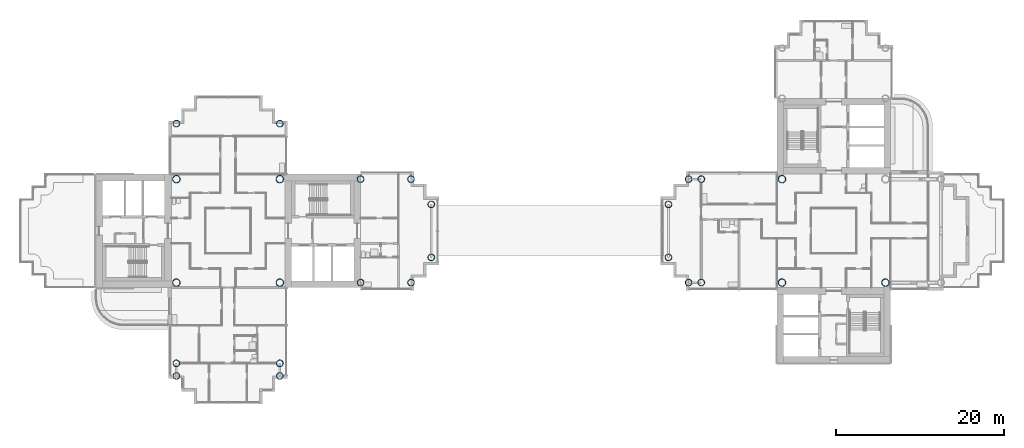
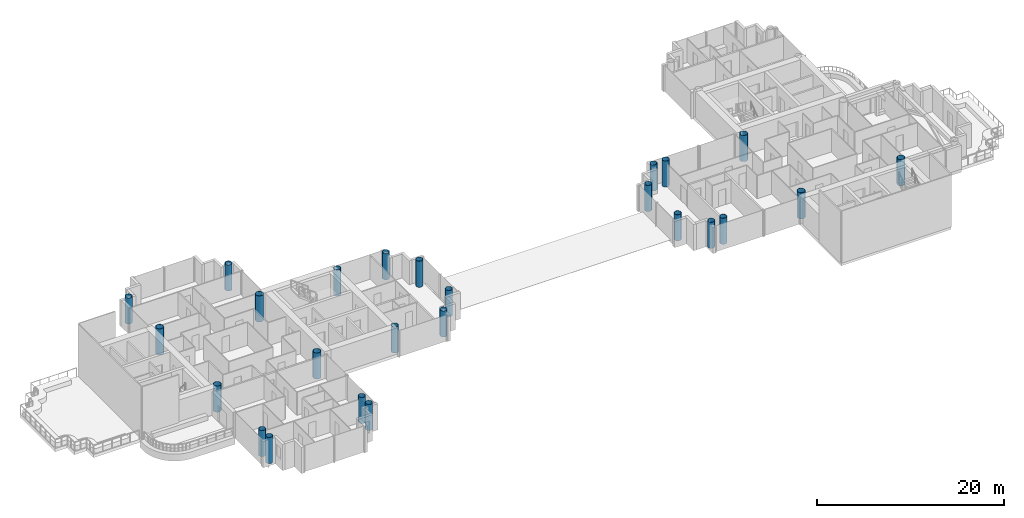
# One storey, part 1 of 19: 25 columns.
"""IFC4 building model written with IfcOpenShell, lengths in metres."""

import ifcopenshell
import ifcopenshell.guid

model = None  # the IFC model being written
_history = None  # IfcOwnerHistory: only IFC2X3 demands one
_inside = {}  # id of a spatial element -> (the spatial element, [elements in it])
_under = {}  # id of a project, library or spatial element -> (it, [spatial elements below it])
_declared = {}  # id of a project -> (the project, [libraries it declares])
_typed = {}  # id of a type object -> (the type object, [elements of that type])
_made_of = {}  # id of a material, layer set ... -> (it, [elements and type objects made of it])


def new_model(schema):
    """Start an empty IFC model of exactly this schema.

    Asked for "IFC4X3", IfcOpenShell would pick the latest addendum, in which some entities
    have other attributes; the version numbers below select the first issue.
    IFC2X3 requires an IfcOwnerHistory on every rooted entity: one is made here for all.
    """
    global model, _history
    if schema == "IFC4X3":
        model = ifcopenshell.file(schema_version=(4, 3, 0, 0))
    else:
        model = ifcopenshell.file(schema=schema)
    _inside.clear()
    _under.clear()
    _declared.clear()
    _typed.clear()
    _made_of.clear()
    _history = None
    if model.schema == "IFC2X3":
        org = make("IfcOrganization", Name="unknown")
        user = make(
            "IfcPersonAndOrganization",
            ThePerson=make("IfcPerson", FamilyName="unknown"),
            TheOrganization=org,
        )
        app = make(
            "IfcApplication",
            ApplicationDeveloper=org,
            Version="unknown",
            ApplicationFullName="unknown",
            ApplicationIdentifier="unknown",
        )
        _history = make(
            "IfcOwnerHistory",
            OwningUser=user,
            OwningApplication=app,
            ChangeAction="ADDED",
            CreationDate=0,
        )
    return model


def make(cls, **values):
    """One entity of the class cls with the attributes given. An attribute that is None is left unset."""
    return model.create_entity(
        cls, **{name: value for name, value in values.items() if value is not None}
    )


def rooted(cls, **values):
    """An entity with a GlobalId (a new one), such as an element, a storey or a relation."""
    return make(cls, GlobalId=ifcopenshell.guid.new(), OwnerHistory=_history, **values)


def si_unit(unit_type, name, prefix=None):
    """IfcSIUnit, for example si_unit("LENGTHUNIT", "METRE", prefix="MILLI")."""
    return make("IfcSIUnit", UnitType=unit_type, Prefix=prefix, Name=name)


def assignment(units):
    """IfcUnitAssignment: the units of a project."""
    return None if units is None else make("IfcUnitAssignment", Units=units)


def point(xyz):
    """IfcCartesianPoint."""
    return None if xyz is None else make("IfcCartesianPoint", Coordinates=xyz)


def direction(xyz):
    """IfcDirection."""
    return None if xyz is None else make("IfcDirection", DirectionRatios=xyz)


def frame(location, z_axis=None, x_axis=None):
    """IfcAxis2Placement3D, a coordinate frame: its origin and axes. An axis left out is left unset."""
    return make(
        "IfcAxis2Placement3D",
        Location=point(location),
        Axis=direction(z_axis),
        RefDirection=direction(x_axis),
    )


def frame_2d(location, x_axis=None):
    """IfcAxis2Placement2D, a coordinate frame in the plane: its origin and x axis."""
    return make(
        "IfcAxis2Placement2D", Location=point(location), RefDirection=direction(x_axis)
    )


def origin():
    """The frame at (0, 0, 0) with its axes left unset."""
    return frame((0.0, 0.0, 0.0))


def origin_2d():
    """The frame at (0, 0) in the plane with its x axis left unset."""
    return frame_2d((0.0, 0.0))


def place(relative_to, where):
    """IfcLocalPlacement: puts the frame where relative to a parent placement (None: the world)."""
    return make(
        "IfcLocalPlacement", PlacementRelTo=relative_to, RelativePlacement=where
    )


def context(
    kind, dimensions, precision=None, world=None, true_north=None, identifier=None
):
    """IfcGeometricRepresentationContext, for example the 3D "Model" context."""
    return make(
        "IfcGeometricRepresentationContext",
        ContextIdentifier=identifier,
        ContextType=kind,
        CoordinateSpaceDimension=dimensions,
        Precision=precision,
        WorldCoordinateSystem=world,
        TrueNorth=true_north,
    )


def subcontext(parent, identifier, kind, view, scale=None):
    """IfcGeometricRepresentationSubContext, for example "Body" below "Model"."""
    return make(
        "IfcGeometricRepresentationSubContext",
        ContextIdentifier=identifier,
        ContextType=kind,
        ParentContext=parent,
        TargetScale=scale,
        TargetView=view,
    )


def project(units=None, contexts=None):
    """IfcProject with its units and contexts."""
    return rooted(
        "IfcProject",
        Name="project",
        RepresentationContexts=contexts,
        UnitsInContext=assignment(units),
    )


def spatial(cls, under=None, at=None, **own):
    """A site, building, storey or space (cls), placed at a placement, below another one or the project."""
    s = rooted(cls, ObjectPlacement=at, **own)
    if under is not None:
        _under.setdefault(under.id(), (under, []))[1].append(s)
    return s


def profile(cls, at=None, kind="AREA", **sizes):
    """A parametric profile (cls). Its sizes go by their IFC names, for example OverallWidth=200.0."""
    return make(cls, ProfileType=kind, Position=at, **sizes)


def hollow_circle(**sizes):
    """IfcCircleHollowProfileDef."""
    return profile("IfcCircleHollowProfileDef", **sizes)


def extrude(swept, where, along, depth):
    """IfcExtrudedAreaSolid: the profile swept, set in the frame where, extruded along a direction by depth."""
    return make(
        "IfcExtrudedAreaSolid",
        SweptArea=swept,
        Position=where,
        ExtrudedDirection=direction(along),
        Depth=depth,
    )


def shape(context_of_items, identifier, shape_type, items):
    """IfcShapeRepresentation: the items that make up one representation, for example the "Body"."""
    return make(
        "IfcShapeRepresentation",
        ContextOfItems=context_of_items,
        RepresentationIdentifier=identifier,
        RepresentationType=shape_type,
        Items=items,
    )


def material(Name=None, Category=None):
    """IfcMaterial."""
    return make("IfcMaterial", Name=Name, Category=Category)


def material_profile(
    of_material, cross_section, Name=None, Category=None, Priority=None
):
    """IfcMaterialProfile: a cross section and its material."""
    return make(
        "IfcMaterialProfile",
        Name=Name,
        Material=of_material,
        Profile=cross_section,
        Priority=Priority,
        Category=Category,
    )


def profile_set(profiles, Name=None, composite=None):
    """IfcMaterialProfileSet."""
    return make(
        "IfcMaterialProfileSet",
        Name=Name,
        MaterialProfiles=profiles,
        CompositeProfile=composite,
    )


def made_of(thing, what):
    """Note that an element or type object is made of a material, layer set ...; save() writes the relation."""
    if what is not None:
        _made_of.setdefault(what.id(), (what, []))[1].append(thing)
    return thing


def type_object(cls, material=None, **own):
    """A type object (cls), such as IfcWallType, which elements share."""
    return made_of(rooted(cls, **own), material)


def element(
    cls,
    number,
    at=None,
    inside=None,
    cuts=None,
    type_object=None,
    material=None,
    context=None,
    identifier="Body",
    shape_type=None,
    held_by="IfcProductDefinitionShape",
    body=None,
    shapes=None,
    **own,
):
    """One element of the class cls, such as IfcWall. Its Tag is "e" and its number.

    at: its placement. inside: the storey or other place that contains it. cuts: it is an
    opening in that element (IfcRelVoidsElement). A single representation is given by context,
    identifier, shape_type and body (its items); several are given by shapes. held_by: the class
    of the entity that holds the representations. save() writes the other relations.
    """
    e = rooted(cls, Tag="e%d" % number, ObjectPlacement=at, **own)
    if body is not None:
        shapes = [shape(context, identifier, shape_type, body)]
    if shapes is not None:
        e.Representation = make(held_by, Representations=shapes)
    if inside is not None:
        _inside.setdefault(inside.id(), (inside, []))[1].append(e)
    if cuts is not None:
        rooted(
            "IfcRelVoidsElement", RelatingBuildingElement=cuts, RelatedOpeningElement=e
        )
    if type_object is not None:
        _typed.setdefault(type_object.id(), (type_object, []))[1].append(e)
    return made_of(e, material)


def aggregate(whole, parts):
    """IfcRelAggregates: a whole, such as a stair, and the parts it consists of."""
    return rooted("IfcRelAggregates", RelatingObject=whole, RelatedObjects=parts)


def save(model, path):
    """Write the relations noted so far, then the file.

    IfcRelAggregates (storeys below a building ...), IfcRelContainedInSpatialStructure (elements
    in a storey), IfcRelDefinesByType, IfcRelAssociatesMaterial and IfcRelDeclares: one each for
    every whole, place, type object, material and project.
    """
    for whole, parts in _under.values():
        aggregate(whole, parts)
    for where, things in _inside.values():
        rooted(
            "IfcRelContainedInSpatialStructure",
            RelatedElements=things,
            RelatingStructure=where,
        )
    for kind, things in _typed.values():
        rooted("IfcRelDefinesByType", RelatedObjects=things, RelatingType=kind)
    for what, things in _made_of.values():
        rooted("IfcRelAssociatesMaterial", RelatedObjects=things, RelatingMaterial=what)
    for by, libraries in _declared.values():
        rooted("IfcRelDeclares", RelatingContext=by, RelatedDefinitions=libraries)
    model.write(path)


model = new_model("IFC4")

# Units and contexts
model_context = context("Model", 3, precision=1e-05, world=origin(), true_north=direction((0.0, 1.0)))
body_context = subcontext(model_context, "Body", "Model", "MODEL_VIEW")
ifc_project = project(units=[si_unit("LENGTHUNIT", "METRE"), si_unit("AREAUNIT", "SQUARE_METRE"), si_unit("VOLUMEUNIT", "CUBIC_METRE"), si_unit("PLANEANGLEUNIT", "RADIAN"), si_unit("MASSUNIT", "GRAM", prefix="KILO")], contexts=[model_context])

# Site, building, storey
site_placement = place(None, origin())
site = spatial("IfcSite", under=ifc_project, at=site_placement, CompositionType="ELEMENT")
building_placement = place(site_placement, origin())
building = spatial("IfcBuilding", under=site, at=building_placement, Name="Ipe Terrace Towers", CompositionType="ELEMENT")
storey_placement = place(building_placement, frame((0.0, 0.0, 133.699951171875)))
storey = spatial("IfcBuildingStorey", under=building, at=storey_placement, Name="L36", CompositionType="ELEMENT", Elevation=133.699951171875)

# Columns
ifc_material_1 = material(Name="Steel S355 tube with Concrete C60/75 fill", Category="concrete")
ifc_material_profile_1 = material_profile(ifc_material_1, hollow_circle(Radius=0.39990234375, WallThickness=0.028076171875, at=origin_2d()), Name="CHS-800x28")
ifc_profile_set_1 = profile_set([ifc_material_profile_1], Name="Steel S355 tube with Concrete C60/75 fill")
column_type_1 = type_object("IfcColumnType", Name="CH09 COLUMN CHS-800x28", PredefinedType="COLUMN", material=ifc_profile_set_1)
for number, where, z_axis, x_axis, name in (
    (1, (-20.25, -6.14990234375, 0.0), (0.0, 0.0, 1.0), (1.0, 0.0, 0.0), "Column T1-C-A01"),
    (2, (-20.25, 6.14990234375, 0.0), (0.0, 0.0, 1.0), (1.0, 0.0, 0.0), "Column T1-C-A02"),
    (3, (-14.25, -6.14990234375, 0.0), (0.0, 0.0, 1.0), (1.0, 0.0, 0.0), "Column T1-C-A03"),
    (4, (-14.25, 6.14990234375, 0.0), (0.0, 0.0, 1.0), (1.0, 0.0, 0.0), "Column T1-C-A04"),
    (5, (-11.85009765625, -3.14990234375, 0.0), (0.0, 0.0, 1.0), (1.0, 0.0, 0.0), "Column T1-C-A05"),
    (6, (-11.85009765625, 3.14990234375, 0.0), (0.0, 0.0, 1.0), (1.0, 0.0, 0.0), "Column T1-C-A06"),
    (7, (-29.85009765625, 12.75, 0.0), (0.0, 0.0, 1.0), (1.0, 0.0, 0.0), "Column T1-C-B01"),
    (8, (-42.14990234375, 12.75, 0.0), (0.0, 0.0, 1.0), (1.0, 0.0, 0.0), "Column T1-C-B02"),
    (9, (-42.14990234375, -15.75, 0.0), (0.0, 0.0, 1.0), (1.0, 0.0, 0.0), "Column T1-C-D03"),
    (10, (-29.85009765625, -15.75, 0.0), (0.0, 0.0, 1.0), (1.0, 0.0, 0.0), "Column T1-C-D04"),
    (11, (-42.14990234375, -17.25, 0.0), (0.0, 0.0, 1.0), (1.0, 0.0, 0.0), "Column T1-C-D05"),
    (12, (-29.85009765625, -17.25, 0.0), (0.0, 0.0, 1.0), (1.0, 0.0, 0.0), "Column T1-C-D06"),
    (13, (20.25, 6.14990234375, 0.0), (0.0, 0.0, 1.0), (1.0, 0.0, 0.0), "Column T2-C-B03"),
    (14, (20.25, -6.14990234375, 0.0), (0.0, 0.0, 1.0), (1.0, 0.0, 0.0), "Column T2-C-B04"),
    (15, (18.75, 6.14990234375, 0.0), (0.0, 0.0, 1.0), (1.0, 0.0, 0.0), "Column T2-C-B05"),
    (16, (18.75, -6.14990234375, 0.0), (0.0, 0.0, 1.0), (1.0, 0.0, 0.0), "Column T2-C-B06"),
    (17, (16.35009765625, 3.14990234375, 0.0), (0.0, 0.0, 1.0), (1.0, 0.0, 0.0), "Column T2-C-B07"),
    (18, (16.35009765625, -3.14990234375, 0.0), (0.0, 0.0, 1.0), (1.0, 0.0, 0.0), "Column T2-C-B08"),
):
    element("IfcColumn", number, at=place(storey_placement, frame(where, z_axis=z_axis, x_axis=x_axis)), inside=storey, type_object=column_type_1, Name=name, PredefinedType="COLUMN", context=body_context, shape_type="SweptSolid", body=[
        extrude(hollow_circle(Radius=0.39990234375, WallThickness=0.028076171875, at=origin_2d()), origin(), (0.0, 0.0, 1.0), 3.400146484375),
    ])
ifc_material_2 = material(Name="Steel S355 tube with Concrete C60/75 fill", Category="concrete")
ifc_material_profile_2 = material_profile(ifc_material_2, hollow_circle(Radius=0.449951171875, WallThickness=0.031982421875, at=origin_2d()), Name="CHS-900x32")
ifc_profile_set_2 = profile_set([ifc_material_profile_2], Name="Steel S355 tube with Concrete C60/75 fill")
column_type_2 = type_object("IfcColumnType", Name="CH10 COLUMN CHS-900x32", PredefinedType="COLUMN", material=ifc_profile_set_2)
for number, where, z_axis, x_axis, name in (
    (19, (-42.14990234375, -6.14990234375, 0.0), (0.0, 0.0, 1.0), (1.0, 0.0, 0.0), "Column T1-C-E01"),
    (20, (-29.85009765625, -6.14990234375, 0.0), (0.0, 0.0, 1.0), (1.0, 0.0, 0.0), "Column T1-C-E02"),
    (21, (-29.85009765625, 6.14990234375, 0.0), (0.0, 0.0, 1.0), (1.0, 0.0, 0.0), "Column T1-C-E03"),
    (22, (-42.14990234375, 6.14990234375, 0.0), (0.0, 0.0, 1.0), (1.0, 0.0, 0.0), "Column T1-C-E04"),
    (23, (42.14990234375, -6.14990234375, 0.0), (0.0, 0.0, 1.0), (1.0, 0.0, 0.0), "Column T2-C-E01"),
    (24, (29.85009765625, 6.14990234375, 0.0), (0.0, 0.0, 1.0), (1.0, 0.0, 0.0), "Column T2-C-E03"),
    (25, (29.85009765625, -6.14990234375, 0.0), (0.0, 0.0, 1.0), (1.0, 0.0, 0.0), "Column T2-C-E04"),
):
    element("IfcColumn", number, at=place(storey_placement, frame(where, z_axis=z_axis, x_axis=x_axis)), inside=storey, type_object=column_type_2, Name=name, PredefinedType="COLUMN", context=body_context, shape_type="SweptSolid", body=[
        extrude(hollow_circle(Radius=0.449951171875, WallThickness=0.031982421875, at=origin_2d()), origin(), (0.0, 0.0, 1.0), 3.400146484375),
    ])

save(model, "model.ifc")
